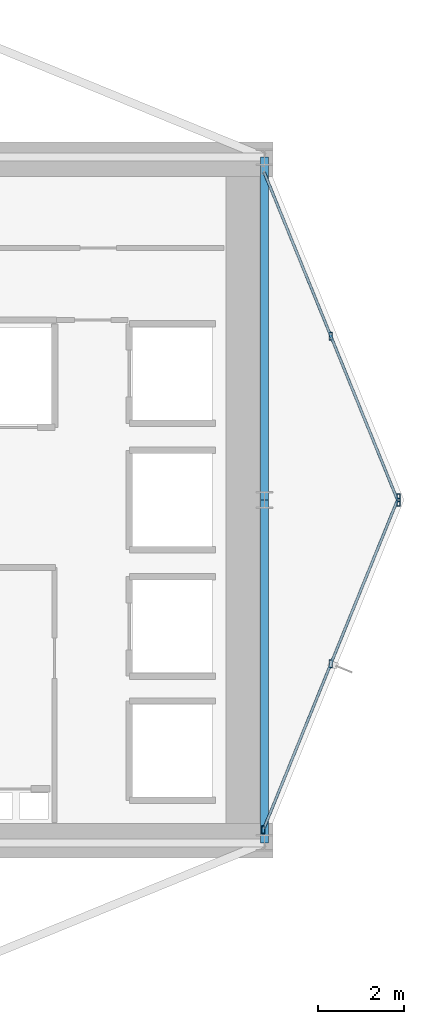
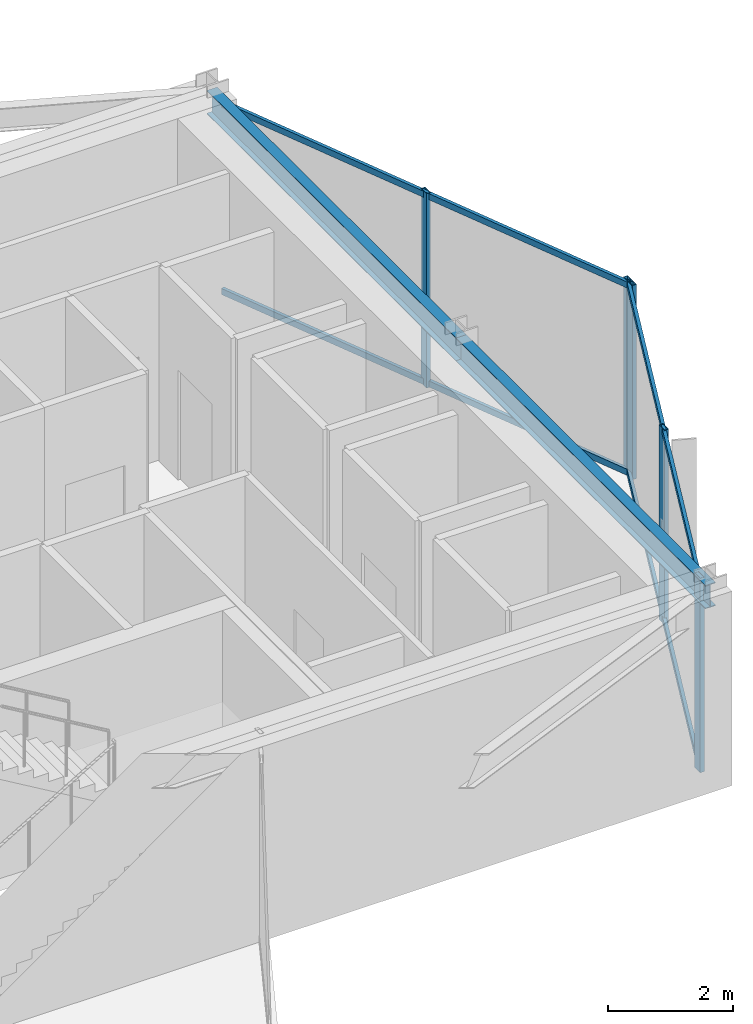
# One storey, part 14 of 25: 9 members, 2 beams, 2 elements without a shape of their own.
"""IFC4 building model written with IfcOpenShell, lengths in metres."""

import ifcopenshell
import ifcopenshell.guid

model = None  # the IFC model being written
_history = None  # IfcOwnerHistory: only IFC2X3 demands one
_inside = {}  # id of a spatial element -> (the spatial element, [elements in it])
_under = {}  # id of a project, library or spatial element -> (it, [spatial elements below it])
_declared = {}  # id of a project -> (the project, [libraries it declares])
_typed = {}  # id of a type object -> (the type object, [elements of that type])
_made_of = {}  # id of a material, layer set ... -> (it, [elements and type objects made of it])


def new_model(schema):
    """Start an empty IFC model of exactly this schema.

    Asked for "IFC4X3", IfcOpenShell would pick the latest addendum, in which some entities
    have other attributes; the version numbers below select the first issue.
    IFC2X3 requires an IfcOwnerHistory on every rooted entity: one is made here for all.
    """
    global model, _history
    if schema == "IFC4X3":
        model = ifcopenshell.file(schema_version=(4, 3, 0, 0))
    else:
        model = ifcopenshell.file(schema=schema)
    _inside.clear()
    _under.clear()
    _declared.clear()
    _typed.clear()
    _made_of.clear()
    _history = None
    if model.schema == "IFC2X3":
        org = make("IfcOrganization", Name="unknown")
        user = make(
            "IfcPersonAndOrganization",
            ThePerson=make("IfcPerson", FamilyName="unknown"),
            TheOrganization=org,
        )
        app = make(
            "IfcApplication",
            ApplicationDeveloper=org,
            Version="unknown",
            ApplicationFullName="unknown",
            ApplicationIdentifier="unknown",
        )
        _history = make(
            "IfcOwnerHistory",
            OwningUser=user,
            OwningApplication=app,
            ChangeAction="ADDED",
            CreationDate=0,
        )
    return model


def make(cls, **values):
    """One entity of the class cls with the attributes given. An attribute that is None is left unset."""
    return model.create_entity(
        cls, **{name: value for name, value in values.items() if value is not None}
    )


def rooted(cls, **values):
    """An entity with a GlobalId (a new one), such as an element, a storey or a relation."""
    return make(cls, GlobalId=ifcopenshell.guid.new(), OwnerHistory=_history, **values)


def si_unit(unit_type, name, prefix=None):
    """IfcSIUnit, for example si_unit("LENGTHUNIT", "METRE", prefix="MILLI")."""
    return make("IfcSIUnit", UnitType=unit_type, Prefix=prefix, Name=name)


def assignment(units):
    """IfcUnitAssignment: the units of a project."""
    return None if units is None else make("IfcUnitAssignment", Units=units)


def point(xyz):
    """IfcCartesianPoint."""
    return None if xyz is None else make("IfcCartesianPoint", Coordinates=xyz)


def direction(xyz):
    """IfcDirection."""
    return None if xyz is None else make("IfcDirection", DirectionRatios=xyz)


def frame(location, z_axis=None, x_axis=None):
    """IfcAxis2Placement3D, a coordinate frame: its origin and axes. An axis left out is left unset."""
    return make(
        "IfcAxis2Placement3D",
        Location=point(location),
        Axis=direction(z_axis),
        RefDirection=direction(x_axis),
    )


def frame_2d(location, x_axis=None):
    """IfcAxis2Placement2D, a coordinate frame in the plane: its origin and x axis."""
    return make(
        "IfcAxis2Placement2D", Location=point(location), RefDirection=direction(x_axis)
    )


def origin():
    """The frame at (0, 0, 0) with its axes left unset."""
    return frame((0.0, 0.0, 0.0))


def origin_2d():
    """The frame at (0, 0) in the plane with its x axis left unset."""
    return frame_2d((0.0, 0.0))


def place(relative_to, where):
    """IfcLocalPlacement: puts the frame where relative to a parent placement (None: the world)."""
    return make(
        "IfcLocalPlacement", PlacementRelTo=relative_to, RelativePlacement=where
    )


def context(
    kind, dimensions, precision=None, world=None, true_north=None, identifier=None
):
    """IfcGeometricRepresentationContext, for example the 3D "Model" context."""
    return make(
        "IfcGeometricRepresentationContext",
        ContextIdentifier=identifier,
        ContextType=kind,
        CoordinateSpaceDimension=dimensions,
        Precision=precision,
        WorldCoordinateSystem=world,
        TrueNorth=true_north,
    )


def subcontext(parent, identifier, kind, view, scale=None):
    """IfcGeometricRepresentationSubContext, for example "Body" below "Model"."""
    return make(
        "IfcGeometricRepresentationSubContext",
        ContextIdentifier=identifier,
        ContextType=kind,
        ParentContext=parent,
        TargetScale=scale,
        TargetView=view,
    )


def project(units=None, contexts=None):
    """IfcProject with its units and contexts."""
    return rooted(
        "IfcProject",
        Name="project",
        RepresentationContexts=contexts,
        UnitsInContext=assignment(units),
    )


def spatial(cls, under=None, at=None, **own):
    """A site, building, storey or space (cls), placed at a placement, below another one or the project."""
    s = rooted(cls, ObjectPlacement=at, **own)
    if under is not None:
        _under.setdefault(under.id(), (under, []))[1].append(s)
    return s


def profile(cls, at=None, kind="AREA", **sizes):
    """A parametric profile (cls). Its sizes go by their IFC names, for example OverallWidth=200.0."""
    return make(cls, ProfileType=kind, Position=at, **sizes)


def hollow_rectangle(**sizes):
    """IfcRectangleHollowProfileDef."""
    return profile("IfcRectangleHollowProfileDef", **sizes)


def i_section(**sizes):
    """IfcIShapeProfileDef."""
    return profile("IfcIShapeProfileDef", **sizes)


def extrude(swept, where, along, depth):
    """IfcExtrudedAreaSolid: the profile swept, set in the frame where, extruded along a direction by depth."""
    return make(
        "IfcExtrudedAreaSolid",
        SweptArea=swept,
        Position=where,
        ExtrudedDirection=direction(along),
        Depth=depth,
    )


def shape(context_of_items, identifier, shape_type, items):
    """IfcShapeRepresentation: the items that make up one representation, for example the "Body"."""
    return make(
        "IfcShapeRepresentation",
        ContextOfItems=context_of_items,
        RepresentationIdentifier=identifier,
        RepresentationType=shape_type,
        Items=items,
    )


def material(Name=None, Category=None):
    """IfcMaterial."""
    return make("IfcMaterial", Name=Name, Category=Category)


def layer(
    of_material, thickness, ventilated=None, Name=None, Category=None, Priority=None
):
    """IfcMaterialLayer: one layer of a wall or slab, of a material (None: an air gap)."""
    return make(
        "IfcMaterialLayer",
        Material=of_material,
        LayerThickness=thickness,
        IsVentilated=ventilated,
        Name=Name,
        Category=Category,
        Priority=Priority,
    )


def layer_set(layers, Name=None):
    """IfcMaterialLayerSet."""
    return make("IfcMaterialLayerSet", MaterialLayers=layers, LayerSetName=Name)


def material_profile(
    of_material, cross_section, Name=None, Category=None, Priority=None
):
    """IfcMaterialProfile: a cross section and its material."""
    return make(
        "IfcMaterialProfile",
        Name=Name,
        Material=of_material,
        Profile=cross_section,
        Priority=Priority,
        Category=Category,
    )


def profile_set(profiles, Name=None, composite=None):
    """IfcMaterialProfileSet."""
    return make(
        "IfcMaterialProfileSet",
        Name=Name,
        MaterialProfiles=profiles,
        CompositeProfile=composite,
    )


def made_of(thing, what):
    """Note that an element or type object is made of a material, layer set ...; save() writes the relation."""
    if what is not None:
        _made_of.setdefault(what.id(), (what, []))[1].append(thing)
    return thing


def type_object(cls, material=None, **own):
    """A type object (cls), such as IfcWallType, which elements share."""
    return made_of(rooted(cls, **own), material)


def element(
    cls,
    number,
    at=None,
    inside=None,
    cuts=None,
    type_object=None,
    material=None,
    context=None,
    identifier="Body",
    shape_type=None,
    held_by="IfcProductDefinitionShape",
    body=None,
    shapes=None,
    **own,
):
    """One element of the class cls, such as IfcWall. Its Tag is "e" and its number.

    at: its placement. inside: the storey or other place that contains it. cuts: it is an
    opening in that element (IfcRelVoidsElement). A single representation is given by context,
    identifier, shape_type and body (its items); several are given by shapes. held_by: the class
    of the entity that holds the representations. save() writes the other relations.
    """
    e = rooted(cls, Tag="e%d" % number, ObjectPlacement=at, **own)
    if body is not None:
        shapes = [shape(context, identifier, shape_type, body)]
    if shapes is not None:
        e.Representation = make(held_by, Representations=shapes)
    if inside is not None:
        _inside.setdefault(inside.id(), (inside, []))[1].append(e)
    if cuts is not None:
        rooted(
            "IfcRelVoidsElement", RelatingBuildingElement=cuts, RelatedOpeningElement=e
        )
    if type_object is not None:
        _typed.setdefault(type_object.id(), (type_object, []))[1].append(e)
    return made_of(e, material)


def aggregate(whole, parts):
    """IfcRelAggregates: a whole, such as a stair, and the parts it consists of."""
    return rooted("IfcRelAggregates", RelatingObject=whole, RelatedObjects=parts)


def save(model, path):
    """Write the relations noted so far, then the file.

    IfcRelAggregates (storeys below a building ...), IfcRelContainedInSpatialStructure (elements
    in a storey), IfcRelDefinesByType, IfcRelAssociatesMaterial and IfcRelDeclares: one each for
    every whole, place, type object, material and project.
    """
    for whole, parts in _under.values():
        aggregate(whole, parts)
    for where, things in _inside.values():
        rooted(
            "IfcRelContainedInSpatialStructure",
            RelatedElements=things,
            RelatingStructure=where,
        )
    for kind, things in _typed.values():
        rooted("IfcRelDefinesByType", RelatedObjects=things, RelatingType=kind)
    for what, things in _made_of.values():
        rooted("IfcRelAssociatesMaterial", RelatedObjects=things, RelatingMaterial=what)
    for by, libraries in _declared.values():
        rooted("IfcRelDeclares", RelatingContext=by, RelatedDefinitions=libraries)
    model.write(path)


model = new_model("IFC4")

# Units and contexts
model_context = context("Model", 3, precision=1e-05, world=origin(), true_north=direction((0.0, 1.0)))
body_context = subcontext(model_context, "Body", "Model", "MODEL_VIEW")
ifc_project = project(units=[si_unit("LENGTHUNIT", "METRE"), si_unit("AREAUNIT", "SQUARE_METRE"), si_unit("VOLUMEUNIT", "CUBIC_METRE"), si_unit("PLANEANGLEUNIT", "RADIAN"), si_unit("MASSUNIT", "GRAM", prefix="KILO")], contexts=[model_context])

# Site, building, storey
site_placement = place(None, origin())
site = spatial("IfcSite", under=ifc_project, at=site_placement, CompositionType="ELEMENT")
building_placement = place(site_placement, origin())
building = spatial("IfcBuilding", under=site, at=building_placement, Name="Veymaron Broadcast Tower", CompositionType="ELEMENT")
storey_placement = place(building_placement, frame((0.0, 0.0, 137.10009765625)))
storey = spatial("IfcBuildingStorey", under=building, at=storey_placement, Name="L31", CompositionType="ELEMENT", Elevation=137.10009765625)

# Beams
ifc_material_1 = material(Name="Structural steel ASTM A992 Gr 50", Category="steel")
ifc_material_profile_1 = material_profile(ifc_material_1, i_section(OverallWidth=0.19091796875, OverallDepth=0.4599609375, WebThickness=0.010009765625, FlangeThickness=0.01611328125, at=origin_2d()), Name="W460X82")
ifc_profile_set_1 = profile_set([ifc_material_profile_1], Name="Structural steel ASTM A992 Gr 50")
beam_type = type_object("IfcBeamType", Name="BM-SP1", PredefinedType="SPANDREL", material=ifc_profile_set_1)
for number, where, z_axis, x_axis, name in (
    (1, (54.60009765625, 16.0, 3.579833984375), (0.0, 1.0, 0.0), (-1.0, 0.0, 0.0), "L31 primary structural floor girder"),
    (2, (54.60009765625, 24.0, 3.579833984375), (0.0, 1.0, 0.0), (-1.0, 0.0, 0.0), "L31 primary structural floor girder"),
):
    element("IfcBeam", number, at=place(storey_placement, frame(where, z_axis=z_axis, x_axis=x_axis)), inside=storey, type_object=beam_type, Name=name, PredefinedType="SPANDREL", context=body_context, shape_type="SweptSolid", body=[
        extrude(i_section(OverallWidth=0.19091796875, OverallDepth=0.4599609375, WebThickness=0.010009765625, FlangeThickness=0.01611328125, at=origin_2d()), origin(), (0.0, 0.0, 1.0), 8.0),
    ])

# Curtain wall, members
ifc_material_2 = material(Name="Anodised aluminium AA 6063-T6 and laminated low-E dark glass", Category="aluminium")
ifc_layer = layer(ifc_material_2, 0.179931640625)
ifc_layer_set = layer_set([ifc_layer], Name="Anodised aluminium AA 6063-T6 and laminated low-E dark glass")
curtain_wall_type = type_object("IfcCurtainWallType", Name="CW-SYS-03", PredefinedType="NOTDEFINED", material=ifc_layer_set)
curtain_wall_1_placement = place(storey_placement, origin())
curtain_wall_1 = element("IfcCurtainWall", 3, at=curtain_wall_1_placement, inside=storey, type_object=curtain_wall_type, Name="L31 dark-glass curtain wall CW-L31-E2-1", PredefinedType="NOTDEFINED")
ifc_material_3 = material(Name="Anodised aluminium AA 6063-T6", Category="aluminium")
ifc_material_profile_2 = material_profile(ifc_material_3, hollow_rectangle(XDim=0.074951171875, YDim=0.179931640625, WallThickness=0.0048828125, at=origin_2d()), Name="AL180X75X5")
ifc_profile_set_2 = profile_set([ifc_material_profile_2], Name="Anodised aluminium AA 6063-T6")
member_type_1 = type_object("IfcMemberType", Name="CW-MUL-02", PredefinedType="MULLION", material=ifc_profile_set_2)
member_1_placement = place(storey_placement, frame((54.572998046875, 16.304931640625, 0.0), z_axis=(0.0, 0.0, 1.0), x_axis=(1.0, 0.0, 0.0)))
member_1 = element("IfcMember", 4, at=member_1_placement, type_object=member_type_1, Name="CW-L31-E2-1 mullion 0", PredefinedType="MULLION", context=body_context, shape_type="SweptSolid", body=[
    extrude(hollow_rectangle(XDim=0.074951171875, YDim=0.179931640625, WallThickness=0.0048828125, at=origin_2d()), origin(), (0.0, 0.0, 1.0), 3.809814453125),
])
member_2_placement = place(storey_placement, frame((56.149169921875, 20.178955078125, 0.0), z_axis=(0.0, 0.0, 1.0), x_axis=(1.0, 0.0, 0.0)))
member_2 = element("IfcMember", 5, at=member_2_placement, type_object=member_type_1, Name="CW-L31-E2-1 mullion 1", PredefinedType="MULLION", context=body_context, shape_type="SweptSolid", body=[
    extrude(hollow_rectangle(XDim=0.074951171875, YDim=0.179931640625, WallThickness=0.0048828125, at=origin_2d()), origin(), (0.0, 0.0, 1.0), 3.809814453125),
])
member_3_placement = place(storey_placement, frame((57.725341796875, 24.052734375, 0.0), z_axis=(0.0, 0.0, 1.0), x_axis=(1.0, 0.0, 0.0)))
member_3 = element("IfcMember", 6, at=member_3_placement, type_object=member_type_1, Name="CW-L31-E2-1 mullion 2", PredefinedType="MULLION", context=body_context, shape_type="SweptSolid", body=[
    extrude(hollow_rectangle(XDim=0.074951171875, YDim=0.179931640625, WallThickness=0.0048828125, at=origin_2d()), origin(), (0.0, 0.0, 1.0), 3.809814453125),
])

curtain_wall_2_placement = place(storey_placement, origin())
curtain_wall_2 = element("IfcCurtainWall", 7, at=curtain_wall_2_placement, inside=storey, type_object=curtain_wall_type, Name="L31 dark-glass curtain wall CW-L31-E3-1", PredefinedType="NOTDEFINED")
member_4_placement = place(storey_placement, frame((57.725341796875, 23.947265625, 0.0), z_axis=(0.0, 0.0, 1.0), x_axis=(1.0, 0.0, 0.0)))
member_4 = element("IfcMember", 8, at=member_4_placement, type_object=member_type_1, Name="CW-L31-E3-1 mullion 0", PredefinedType="MULLION", context=body_context, shape_type="SweptSolid", body=[
    extrude(hollow_rectangle(XDim=0.074951171875, YDim=0.179931640625, WallThickness=0.0048828125, at=origin_2d()), origin(), (0.0, 0.0, 1.0), 3.809814453125),
])
member_5_placement = place(storey_placement, frame((56.149169921875, 27.821044921875, 0.0), z_axis=(0.0, 0.0, 1.0), x_axis=(1.0, 0.0, 0.0)))
member_5 = element("IfcMember", 9, at=member_5_placement, type_object=member_type_1, Name="CW-L31-E3-1 mullion 1", PredefinedType="MULLION", context=body_context, shape_type="SweptSolid", body=[
    extrude(hollow_rectangle(XDim=0.074951171875, YDim=0.179931640625, WallThickness=0.0048828125, at=origin_2d()), origin(), (0.0, 0.0, 1.0), 3.809814453125),
])

# Member
ifc_material_profile_3 = material_profile(ifc_material_3, hollow_rectangle(XDim=0.06005859375, YDim=0.1201171875, WallThickness=0.00390625, at=origin_2d()), Name="AL120X60X4")
ifc_profile_set_3 = profile_set([ifc_material_profile_3], Name="Anodised aluminium AA 6063-T6")
member_type_2 = type_object("IfcMemberType", Name="CW-TRN-02", PredefinedType="USERDEFINED", material=ifc_profile_set_3)
member_6_placement = place(storey_placement, frame((54.591796875, 16.351318359375, 0.06982421875), z_axis=(0.376874596189, 0.926264292061, 0.0), x_axis=(-0.926264292061, 0.376874596189, 0.0)))
member_6 = element("IfcMember", 10, at=member_6_placement, type_object=member_type_2, Name="CW-L31-E2-1 transom B", ObjectType="TRANSOM", PredefinedType="USERDEFINED", context=body_context, shape_type="SweptSolid", body=[
    extrude(hollow_rectangle(XDim=0.06005859375, YDim=0.1201171875, WallThickness=0.00390625, at=origin_2d()), origin(), (0.0, 0.0, 1.0), 8.2646484375),
])

member_7_placement = place(storey_placement, frame((54.591796875, 16.351318359375, 3.739990234375), z_axis=(0.376874596189, 0.926264292061, 0.0), x_axis=(-0.926264292061, 0.376874596189, 0.0)))
member_7 = element("IfcMember", 11, at=member_7_placement, type_object=member_type_2, Name="CW-L31-E2-1 transom T", ObjectType="TRANSOM", PredefinedType="USERDEFINED", context=body_context, shape_type="SweptSolid", body=[
    extrude(hollow_rectangle(XDim=0.06005859375, YDim=0.1201171875, WallThickness=0.00390625, at=origin_2d()), origin(), (0.0, 0.0, 1.0), 8.2646484375),
])

aggregate(curtain_wall_1, [member_1, member_2, member_3, member_6, member_7])

member_8_placement = place(storey_placement, frame((57.70654296875, 23.993408203125, 0.06982421875), z_axis=(-0.376874596189, 0.926264292061, 0.0), x_axis=(-0.926264292061, -0.376874596189, 0.0)))
member_8 = element("IfcMember", 12, at=member_8_placement, type_object=member_type_2, Name="CW-L31-E3-1 transom B", ObjectType="TRANSOM", PredefinedType="USERDEFINED", context=body_context, shape_type="SweptSolid", body=[
    extrude(hollow_rectangle(XDim=0.06005859375, YDim=0.1201171875, WallThickness=0.00390625, at=origin_2d()), origin(), (0.0, 0.0, 1.0), 8.2646484375),
])

member_9_placement = place(storey_placement, frame((57.70654296875, 23.993408203125, 3.739990234375), z_axis=(-0.376874596189, 0.926264292061, 0.0), x_axis=(-0.926264292061, -0.376874596189, 0.0)))
member_9 = element("IfcMember", 13, at=member_9_placement, type_object=member_type_2, Name="CW-L31-E3-1 transom T", ObjectType="TRANSOM", PredefinedType="USERDEFINED", context=body_context, shape_type="SweptSolid", body=[
    extrude(hollow_rectangle(XDim=0.06005859375, YDim=0.1201171875, WallThickness=0.00390625, at=origin_2d()), origin(), (0.0, 0.0, 1.0), 8.2646484375),
])

aggregate(curtain_wall_2, [member_4, member_5, member_8, member_9])

save(model, "model.ifc")
